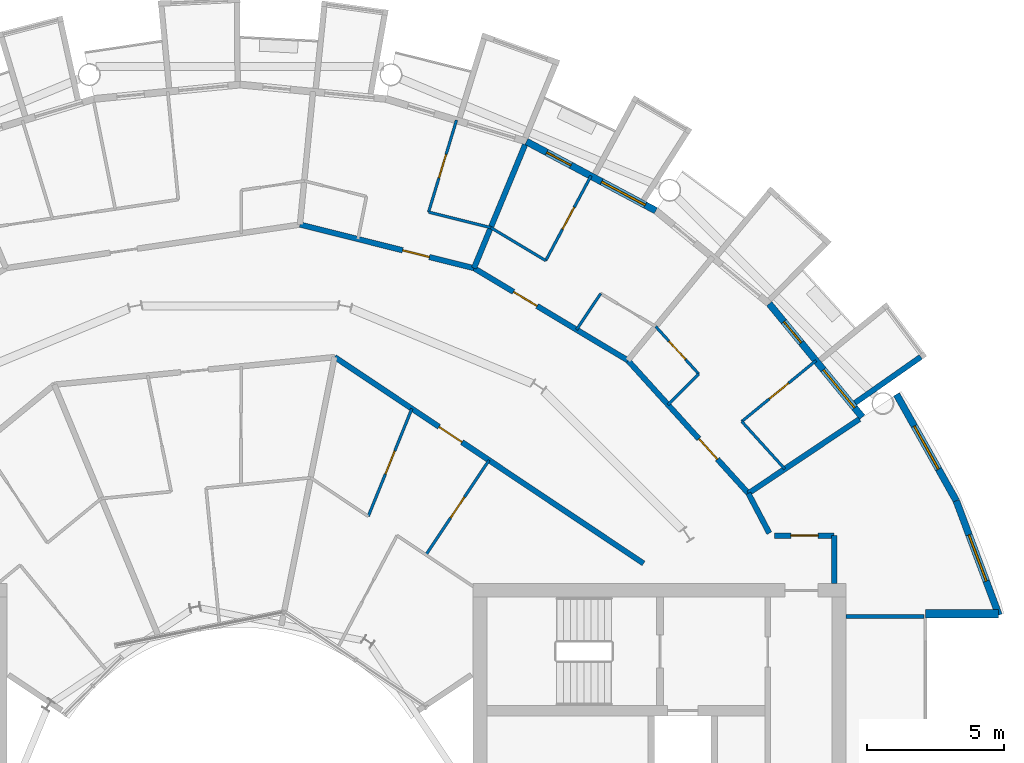
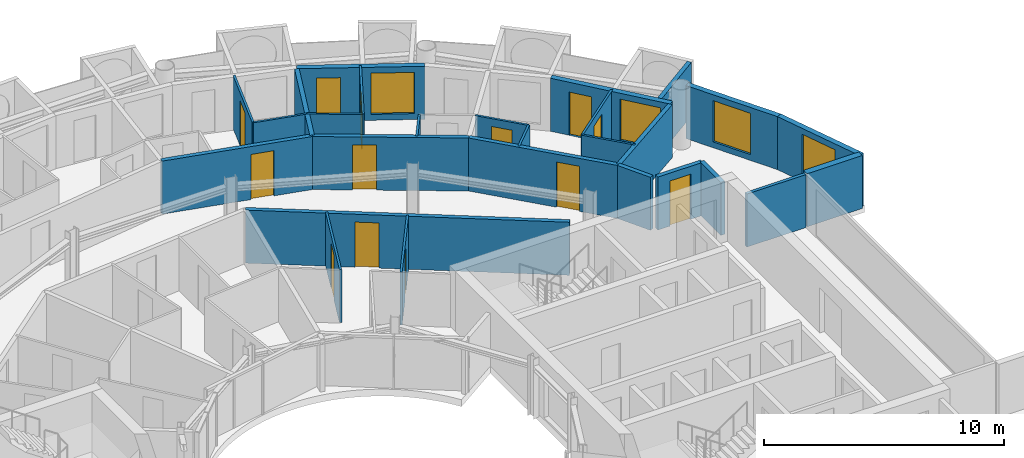
# One storey, part 22 of 27: 27 walls, 13 doors, 4 windows, 17 openings.
"""IFC4 building model written with IfcOpenShell, lengths in metres."""

from ifc_helpers import new_model, si_unit, direction, frame, frame_2d, origin, place, context, subcontext, project, spatial, rectangle, extrude, material, layer, layer_set, type_object, element, fill, save


model = new_model("IFC4")

# Units and contexts
model_context = context("Model", 3, precision=1e-05, world=origin(), true_north=direction((0.0, 1.0)))
body_context = subcontext(model_context, "Body", "Model", "MODEL_VIEW")
ifc_project = project(units=[si_unit("LENGTHUNIT", "METRE"), si_unit("AREAUNIT", "SQUARE_METRE"), si_unit("VOLUMEUNIT", "CUBIC_METRE"), si_unit("PLANEANGLEUNIT", "RADIAN"), si_unit("MASSUNIT", "GRAM", prefix="KILO")], contexts=[model_context])

# Site, building, storey
site_placement = place(None, origin())
site = spatial("IfcSite", under=ifc_project, at=site_placement, CompositionType="ELEMENT")
building_placement = place(site_placement, origin())
building = spatial("IfcBuilding", under=site, at=building_placement, Name="Maasbend Ring Residences", CompositionType="ELEMENT")
storey_placement = place(building_placement, frame((0.0, 0.0, 148.25)))
storey = spatial("IfcBuildingStorey", under=building, at=storey_placement, Name="L42", CompositionType="ELEMENT", Elevation=148.25)

# Wall
ifc_material_1 = material(Name="Concrete C30/37", Category="concrete")
ifc_layer_1 = layer(ifc_material_1, 0.199951171875)
ifc_layer_set_1 = layer_set([ifc_layer_1], Name="Concrete C30/37")
wall_type_1 = type_object("IfcWallType", Name="CORRIDOR WALL 200 CONCRETE", PredefinedType="PARTITIONING", material=ifc_layer_set_1)
wall_1_placement = place(storey_placement, frame((21.675048828125, 9.10009765625, 0.0), z_axis=(0.0, 0.0, 1.0), x_axis=(0.0, 1.0, 0.0)))
element("IfcWall", 1, at=wall_1_placement, inside=storey, type_object=wall_type_1, Name="U-L42-w013", PredefinedType="PARTITIONING", context=body_context, shape_type="SweptSolid", body=[
    extrude(rectangle(XDim=1.75, YDim=0.199951171875, at=frame_2d((0.875, 0.0))), origin(), (0.0, 0.0, 1.0), 2.699951171875),
])

# Wall, opening, door
wall_2_placement = place(storey_placement, frame((19.50390625, 10.85009765625, 0.0), z_axis=(0.0, 0.0, 1.0), x_axis=(1.0, 0.0, 0.0)))
wall_2 = element("IfcWall", 2, at=wall_2_placement, inside=storey, type_object=wall_type_1, Name="U-L42-w087", PredefinedType="PARTITIONING", context=body_context, shape_type="SweptSolid", body=[
    extrude(rectangle(XDim=2.171142578125, YDim=0.199951171875, at=frame_2d((1.08544921875, 0.0))), origin(), (0.0, 0.0, 1.0), 2.699951171875),
])
opening_1_placement = place(wall_2_placement, frame((0.5849609375, 0.0, 0.0)))
opening_1 = element("IfcOpeningElement", 3, at=opening_1_placement, cuts=wall_2, Name="Opening D-4262", PredefinedType="OPENING", context=body_context, shape_type="SweptSolid", body=[
    extrude(rectangle(XDim=1.0, YDim=2.300048828125, at=frame_2d((0.5, 1.14990234375))), frame((0.0, 0.10986328125, 0.0), z_axis=(0.0, -1.0, 0.0), x_axis=(1.0, 0.0, 0.0)), (0.0, 0.0, 1.0), 0.219970703125),
])
ifc_material_2 = material(Name="Timber, painted", Category="wood")
door_type_1 = type_object("IfcDoorType", Name="ROOM DOOR 1000 X 2300", OperationType="NOTDEFINED", PredefinedType="DOOR", material=ifc_material_2)
door_1_placement = place(opening_1_placement, origin())
door_1 = element("IfcDoor", 4, at=door_1_placement, inside=storey, type_object=door_type_1, Name="D-4262", OperationType="SINGLE_SWING_LEFT", OverallHeight=2.300048828125, OverallWidth=1.0, PredefinedType="DOOR", context=body_context, shape_type="SweptSolid", body=[
    extrude(rectangle(XDim=1.0, YDim=2.300048828125, at=frame_2d((0.5, 1.14990234375))), frame((0.0, 0.02490234375, 0.0), z_axis=(0.0, -1.0, 0.0), x_axis=(1.0, 0.0, 0.0)), (0.0, 0.0, 1.0), 0.050048828125),
])
fill(opening_1, door_1)

wall_3_placement = place(storey_placement, frame((3.452880859375, 17.360107421875, 0.0), z_axis=(0.0, 0.0, 1.0), x_axis=(0.831437137577, -0.555618831806, 0.0)))
wall_3 = element("IfcWall", 5, at=wall_3_placement, inside=storey, type_object=wall_type_1, Name="U-L42-w094", PredefinedType="PARTITIONING", context=body_context, shape_type="SweptSolid", body=[
    extrude(rectangle(XDim=13.549072265625, YDim=0.199951171875, at=frame_2d((6.7744140625, 0.0))), origin(), (0.0, 0.0, 1.0), 2.699951171875),
])
opening_2_placement = place(wall_3_placement, frame((4.5810546875, 0.0, 0.0)))
opening_2 = element("IfcOpeningElement", 6, at=opening_2_placement, cuts=wall_3, Name="Opening D-4221", PredefinedType="OPENING", context=body_context, shape_type="SweptSolid", body=[
    extrude(rectangle(XDim=1.0, YDim=2.300048828125, at=frame_2d((0.5, 1.14990234375))), frame((0.0, 0.10986328125, 0.0), z_axis=(0.0, -1.0, 0.0), x_axis=(1.0, 0.0, 0.0)), (0.0, 0.0, 1.0), 0.219970703125),
])
ifc_material_3 = material(Name="Timber, fire-rated, painted", Category="wood")
door_type_2 = type_object("IfcDoorType", Name="FLAT ENTRANCE DOOR 1000 X 2300 FIRE-RATED", OperationType="NOTDEFINED", PredefinedType="DOOR", material=ifc_material_3)
door_2_placement = place(opening_2_placement, origin())
door_2 = element("IfcDoor", 7, at=door_2_placement, inside=storey, type_object=door_type_2, Name="D-4221", OperationType="SINGLE_SWING_LEFT", OverallHeight=2.300048828125, OverallWidth=1.0, PredefinedType="DOOR", context=body_context, shape_type="SweptSolid", body=[
    extrude(rectangle(XDim=1.0, YDim=2.300048828125, at=frame_2d((0.5, 1.14990234375))), frame((0.0, 0.02490234375, 0.0), z_axis=(0.0, -1.0, 0.0), x_axis=(1.0, 0.0, 0.0)), (0.0, 0.0, 1.0), 0.050048828125),
])
fill(opening_2, door_2)

wall_4_placement = place(storey_placement, frame((2.18603515625, 22.193115234375, 0.0), z_axis=(0.0, 0.0, 1.0), x_axis=(0.97003047456, -0.242983288366, 0.0)))
wall_4 = element("IfcWall", 8, at=wall_4_placement, inside=storey, type_object=wall_type_1, Name="U-L42-w102", PredefinedType="PARTITIONING", context=body_context, shape_type="SweptSolid", body=[
    extrude(rectangle(XDim=6.5439453125, YDim=0.199951171875, at=frame_2d((3.27197265625, 0.0))), origin(), (0.0, 0.0, 1.0), 2.699951171875),
])
opening_3_placement = place(wall_4_placement, frame((3.863037109375, 0.0, 0.0)))
opening_3 = element("IfcOpeningElement", 9, at=opening_3_placement, cuts=wall_4, Name="Opening D-4207", PredefinedType="OPENING", context=body_context, shape_type="SweptSolid", body=[
    extrude(rectangle(XDim=1.0, YDim=2.300048828125, at=frame_2d((0.5, 1.14990234375))), frame((0.0, 0.10986328125, 0.0), z_axis=(0.0, -1.0, 0.0), x_axis=(1.0, 0.0, 0.0)), (0.0, 0.0, 1.0), 0.219970703125),
])
door_3_placement = place(opening_3_placement, origin())
door_3 = element("IfcDoor", 10, at=door_3_placement, inside=storey, type_object=door_type_2, Name="D-4207", OperationType="SINGLE_SWING_RIGHT", OverallHeight=2.300048828125, OverallWidth=1.0, PredefinedType="DOOR", context=body_context, shape_type="SweptSolid", body=[
    extrude(rectangle(XDim=1.0, YDim=2.300048828125, at=frame_2d((0.5, 1.14990234375))), frame((0.0, 0.02490234375, 0.0), z_axis=(0.0, -1.0, 0.0), x_axis=(1.0, 0.0, 0.0)), (0.0, 0.0, 1.0), 0.050048828125),
])
fill(opening_3, door_3)

wall_5_placement = place(storey_placement, frame((8.533935546875, 20.60302734375, 0.0), z_axis=(0.0, 0.0, 1.0), x_axis=(0.857683781508, -0.514177528621, 0.0)))
wall_5 = element("IfcWall", 11, at=wall_5_placement, inside=storey, type_object=wall_type_1, Name="U-L42-w103", PredefinedType="PARTITIONING", context=body_context, shape_type="SweptSolid", body=[
    extrude(rectangle(XDim=6.54443359375, YDim=0.199951171875, at=frame_2d((3.272216796875, 0.0))), origin(), (0.0, 0.0, 1.0), 2.699951171875),
])
opening_4_placement = place(wall_5_placement, frame((1.681884765625, 0.0, 0.0)))
opening_4 = element("IfcOpeningElement", 12, at=opening_4_placement, cuts=wall_5, Name="Opening D-4204", PredefinedType="OPENING", context=body_context, shape_type="SweptSolid", body=[
    extrude(rectangle(XDim=1.0, YDim=2.300048828125, at=frame_2d((0.5, 1.14990234375))), frame((0.0, 0.10986328125, 0.0), z_axis=(0.0, -1.0, 0.0), x_axis=(1.0, 0.0, 0.0)), (0.0, 0.0, 1.0), 0.219970703125),
])
door_4_placement = place(opening_4_placement, origin())
door_4 = element("IfcDoor", 13, at=door_4_placement, inside=storey, type_object=door_type_2, Name="D-4204", OperationType="SINGLE_SWING_LEFT", OverallHeight=2.300048828125, OverallWidth=1.0, PredefinedType="DOOR", context=body_context, shape_type="SweptSolid", body=[
    extrude(rectangle(XDim=1.0, YDim=2.300048828125, at=frame_2d((0.5, 1.14990234375))), frame((0.0, 0.02490234375, 0.0), z_axis=(0.0, -1.0, 0.0), x_axis=(1.0, 0.0, 0.0)), (0.0, 0.0, 1.0), 0.050048828125),
])
fill(opening_4, door_4)

wall_6_placement = place(storey_placement, frame((14.14697265625, 17.238037109375, 0.0), z_axis=(0.0, 0.0, 1.0), x_axis=(0.671561669125, -0.740948665268, 0.0)))
wall_6 = element("IfcWall", 14, at=wall_6_placement, inside=storey, type_object=wall_type_1, Name="U-L42-w104", PredefinedType="PARTITIONING", context=body_context, shape_type="SweptSolid", body=[
    extrude(rectangle(XDim=6.54443359375, YDim=0.199951171875, at=frame_2d((3.272216796875, 0.0))), origin(), (0.0, 0.0, 1.0), 2.699951171875),
])
opening_5_placement = place(wall_6_placement, frame((3.862060546875, 0.0, 0.0)))
opening_5 = element("IfcOpeningElement", 15, at=opening_5_placement, cuts=wall_6, Name="Opening D-4201", PredefinedType="OPENING", context=body_context, shape_type="SweptSolid", body=[
    extrude(rectangle(XDim=1.0, YDim=2.300048828125, at=frame_2d((0.5, 1.14990234375))), frame((0.0, 0.10986328125, 0.0), z_axis=(0.0, -1.0, 0.0), x_axis=(1.0, 0.0, 0.0)), (0.0, 0.0, 1.0), 0.219970703125),
])
door_5_placement = place(opening_5_placement, origin())
door_5 = element("IfcDoor", 16, at=door_5_placement, inside=storey, type_object=door_type_2, Name="D-4201", OperationType="SINGLE_SWING_RIGHT", OverallHeight=2.300048828125, OverallWidth=1.0, PredefinedType="DOOR", context=body_context, shape_type="SweptSolid", body=[
    extrude(rectangle(XDim=1.0, YDim=2.300048828125, at=frame_2d((0.5, 1.14990234375))), frame((0.0, 0.02490234375, 0.0), z_axis=(0.0, -1.0, 0.0), x_axis=(1.0, 0.0, 0.0)), (0.0, 0.0, 1.0), 0.050048828125),
])
fill(opening_5, door_5)

# Walls
wall_7_placement = place(storey_placement, frame((18.5419921875, 12.388916015625, 0.0), z_axis=(0.0, 0.0, 1.0), x_axis=(0.465605550524, -0.884992356646, 0.0)))
element("IfcWall", 17, at=wall_7_placement, inside=storey, type_object=wall_type_1, Name="U-L42-w106", PredefinedType="PARTITIONING", context=body_context, shape_type="SweptSolid", body=[
    extrude(rectangle(XDim=1.642822265625, YDim=0.199951171875, at=frame_2d((0.8212890625, 0.0))), origin(), (0.0, 0.0, 1.0), 2.699951171875),
])
ifc_material_4 = material(Name="Pale anodised aluminium panel", Category="aluminium")
ifc_layer_2 = layer(ifc_material_4, 0.199951171875)
ifc_layer_set_2 = layer_set([ifc_layer_2], Name="EW-BOX")
wall_type_2 = type_object("IfcWallType", Name="EW-BOX", PredefinedType="SOLIDWALL", material=ifc_layer_set_2)
wall_8_placement = place(storey_placement, frame((22.43310546875, 15.68798828125, -0.030029296875), z_axis=(0.0, 0.0, 1.0), x_axis=(0.819373043115, 0.573260687834, 0.0)))
element("IfcWall", 18, at=wall_8_placement, inside=storey, type_object=wall_type_2, Name="Box side wall N01 left", PredefinedType="SOLIDWALL", context=body_context, shape_type="SweptSolid", body=[
    extrude(rectangle(XDim=2.92529296875, YDim=0.199951171875, at=frame_2d((1.462646484375, 0.0))), origin(), (0.0, 0.0, 1.0), 2.72998046875),
])

# Wall, openings, door, window
ifc_material_5 = material(Name="Aluminium clad insulated panel", Category="aluminium")
ifc_layer_3 = layer(ifc_material_5, 0.25)
ifc_layer_set_3 = layer_set([ifc_layer_3], Name="EW-GL")
wall_type_3 = type_object("IfcWallType", Name="EW-GL", PredefinedType="SOLIDWALL", material=ifc_layer_set_3)
wall_9_placement = place(storey_placement, frame((22.698974609375, 15.1669921875, 0.0), z_axis=(0.0, 0.0, 1.0), x_axis=(-0.634382322723, 0.773019449054, 0.0)))
wall_9 = element("IfcWall", 19, at=wall_9_placement, inside=storey, type_object=wall_type_3, Name="External wall N01", PredefinedType="SOLIDWALL", context=body_context, shape_type="SweptSolid", body=[
    extrude(rectangle(XDim=5.351806640625, YDim=0.25, at=frame_2d((2.67578125, 0.0))), origin(), (0.0, 0.0, 1.0), 2.699951171875),
])
opening_6_placement = place(wall_9_placement, frame((0.441162109375, 0.0, 0.300048828125)))
opening_6 = element("IfcOpeningElement", 20, at=opening_6_placement, cuts=wall_9, Name="Opening W-BX", PredefinedType="OPENING", context=body_context, shape_type="SweptSolid", body=[
    extrude(rectangle(XDim=1.800048828125, YDim=2.10009765625, at=frame_2d((0.89990234375, 1.050048828125))), frame((0.0, 0.135009765625, 0.0), z_axis=(0.0, -1.0, 0.0), x_axis=(1.0, 0.0, 0.0)), (0.0, 0.0, 1.0), 0.27001953125),
])
opening_7_placement = place(wall_9_placement, frame((3.510498046875, 0.0, 0.0)))
opening_7 = element("IfcOpeningElement", 21, at=opening_7_placement, cuts=wall_9, Name="Opening D-LG", PredefinedType="OPENING", context=body_context, shape_type="SweptSolid", body=[
    extrude(rectangle(XDim=1.0, YDim=2.199951171875, at=frame_2d((0.5, 1.10009765625))), frame((0.0, 0.135009765625, 0.0), z_axis=(0.0, -1.0, 0.0), x_axis=(1.0, 0.0, 0.0)), (0.0, 0.0, 1.0), 0.27001953125),
])
ifc_material_6 = material(Name="Aluminium and clear glass", Category="aluminium")
door_type_3 = type_object("IfcDoorType", Name="D-LG", OperationType="SINGLE_SWING_LEFT", PredefinedType="DOOR", material=ifc_material_6)
door_6_placement = place(opening_7_placement, origin())
door_6 = element("IfcDoor", 22, at=door_6_placement, inside=storey, type_object=door_type_3, Name="Loggia door N02", OperationType="SINGLE_SWING_LEFT", OverallHeight=2.199951171875, OverallWidth=1.0, PredefinedType="DOOR", context=body_context, shape_type="SweptSolid", body=[
    extrude(rectangle(XDim=1.0, YDim=2.199951171875, at=frame_2d((0.5, 1.10009765625))), frame((0.0, 0.02490234375, 0.0), z_axis=(0.0, -1.0, 0.0), x_axis=(1.0, 0.0, 0.0)), (0.0, 0.0, 1.0), 0.050048828125),
])
fill(opening_7, door_6)
ifc_material_7 = material(Name="Aluminium and clear glass", Category="aluminium")
window_type = type_object("IfcWindowType", Name="W-BX", PartitioningType="DOUBLE_PANEL_VERTICAL", PredefinedType="WINDOW", material=ifc_material_7)
window_1_placement = place(opening_6_placement, origin())
window_1 = element("IfcWindow", 23, at=window_1_placement, inside=storey, type_object=window_type, Name="Window N01 room to box", OverallHeight=2.10009765625, OverallWidth=1.800048828125, PartitioningType="SINGLE_PANEL", PredefinedType="WINDOW", context=body_context, shape_type="SweptSolid", body=[
    extrude(rectangle(XDim=1.800048828125, YDim=2.10009765625, at=frame_2d((0.89990234375, 1.050048828125))), frame((0.0, 0.030029296875, 0.0), z_axis=(0.0, -1.0, 0.0), x_axis=(1.0, 0.0, 0.0)), (0.0, 0.0, 1.0), 0.06005859375),
])
fill(opening_6, window_1)

wall_10_placement = place(storey_placement, frame((15.1669921875, 22.698974609375, 0.0), z_axis=(0.0, 0.0, 1.0), x_axis=(-0.881915646801, 0.471407246368, 0.0)))
wall_10 = element("IfcWall", 24, at=wall_10_placement, inside=storey, type_object=wall_type_3, Name="External wall N03", PredefinedType="SOLIDWALL", context=body_context, shape_type="SweptSolid", body=[
    extrude(rectangle(XDim=5.35205078125, YDim=0.25, at=frame_2d((2.676025390625, 0.0))), origin(), (0.0, 0.0, 1.0), 2.699951171875),
])
opening_8_placement = place(wall_10_placement, frame((0.441162109375, 0.0, 0.300048828125)))
opening_8 = element("IfcOpeningElement", 25, at=opening_8_placement, cuts=wall_10, Name="Opening W-BX", PredefinedType="OPENING", context=body_context, shape_type="SweptSolid", body=[
    extrude(rectangle(XDim=1.800048828125, YDim=2.10009765625, at=frame_2d((0.89990234375, 1.050048828125))), frame((0.0, 0.135009765625, 0.0), z_axis=(0.0, -1.0, 0.0), x_axis=(1.0, 0.0, 0.0)), (0.0, 0.0, 1.0), 0.27001953125),
])
opening_9_placement = place(wall_10_placement, frame((3.510498046875, 0.0, 0.0)))
opening_9 = element("IfcOpeningElement", 26, at=opening_9_placement, cuts=wall_10, Name="Opening D-LG", PredefinedType="OPENING", context=body_context, shape_type="SweptSolid", body=[
    extrude(rectangle(XDim=1.0, YDim=2.199951171875, at=frame_2d((0.5, 1.10009765625))), frame((0.0, 0.135009765625, 0.0), z_axis=(0.0, -1.0, 0.0), x_axis=(1.0, 0.0, 0.0)), (0.0, 0.0, 1.0), 0.27001953125),
])
door_7_placement = place(opening_9_placement, origin())
door_7 = element("IfcDoor", 27, at=door_7_placement, inside=storey, type_object=door_type_3, Name="Loggia door N06", OperationType="SINGLE_SWING_LEFT", OverallHeight=2.199951171875, OverallWidth=1.0, PredefinedType="DOOR", context=body_context, shape_type="SweptSolid", body=[
    extrude(rectangle(XDim=1.0, YDim=2.199951171875, at=frame_2d((0.5, 1.10009765625))), frame((0.0, 0.02490234375, 0.0), z_axis=(0.0, -1.0, 0.0), x_axis=(1.0, 0.0, 0.0)), (0.0, 0.0, 1.0), 0.050048828125),
])
fill(opening_9, door_7)
window_2_placement = place(opening_8_placement, origin())
window_2 = element("IfcWindow", 28, at=window_2_placement, inside=storey, type_object=window_type, Name="Window N05 room to box", OverallHeight=2.10009765625, OverallWidth=1.800048828125, PartitioningType="SINGLE_PANEL", PredefinedType="WINDOW", context=body_context, shape_type="SweptSolid", body=[
    extrude(rectangle(XDim=1.800048828125, YDim=2.10009765625, at=frame_2d((0.89990234375, 1.050048828125))), frame((0.0, 0.030029296875, 0.0), z_axis=(0.0, -1.0, 0.0), x_axis=(1.0, 0.0, 0.0)), (0.0, 0.0, 1.0), 0.06005859375),
])
fill(opening_8, window_2)

# Wall, opening, window
ifc_material_8 = material(Name="Aluminium clad insulated panel", Category="aluminium")
ifc_layer_4 = layer(ifc_material_8, 0.25)
ifc_layer_set_4 = layer_set([ifc_layer_4], Name="EW-HORN")
wall_type_4 = type_object("IfcWallType", Name="EW-HORN", PredefinedType="SOLIDWALL", material=ifc_layer_set_4)
wall_11_placement = place(storey_placement, frame((27.681884765625, 7.945068359375, 0.0), z_axis=(0.0, 0.0, 1.0), x_axis=(-0.349247811493, 0.937030397675, 0.0)))
wall_11 = element("IfcWall", 29, at=wall_11_placement, inside=storey, type_object=wall_type_4, Name="Horn wall 1.1", PredefinedType="SOLIDWALL", context=body_context, shape_type="SweptSolid", body=[
    extrude(rectangle(XDim=4.4521484375, YDim=0.25, at=frame_2d((2.22607421875, 0.0))), origin(), (0.0, 0.0, 1.0), 2.699951171875),
])
opening_10_placement = place(wall_11_placement, frame((1.32666015625, 0.0, 0.300048828125)))
opening_10 = element("IfcOpeningElement", 30, at=opening_10_placement, cuts=wall_11, Name="Opening W-BX", PredefinedType="OPENING", context=body_context, shape_type="SweptSolid", body=[
    extrude(rectangle(XDim=1.800048828125, YDim=2.10009765625, at=frame_2d((0.89990234375, 1.050048828125))), frame((0.0, 0.135009765625, 0.0), z_axis=(0.0, -1.0, 0.0), x_axis=(1.0, 0.0, 0.0)), (0.0, 0.0, 1.0), 0.27001953125),
])
window_3_placement = place(opening_10_placement, origin())
window_3 = element("IfcWindow", 31, at=window_3_placement, inside=storey, type_object=window_type, Name="Horn window 1.1", OverallHeight=2.10009765625, OverallWidth=1.800048828125, PartitioningType="SINGLE_PANEL", PredefinedType="WINDOW", context=body_context, shape_type="SweptSolid", body=[
    extrude(rectangle(XDim=1.800048828125, YDim=2.10009765625, at=frame_2d((0.89990234375, 1.050048828125))), frame((0.0, 0.030029296875, 0.0), z_axis=(0.0, -1.0, 0.0), x_axis=(1.0, 0.0, 0.0)), (0.0, 0.0, 1.0), 0.06005859375),
])
fill(opening_10, window_3)

wall_12_placement = place(storey_placement, frame((26.126953125, 12.116943359375, 0.0), z_axis=(0.0, 0.0, 1.0), x_axis=(-0.489696356642, 0.871893042919, 0.0)))
wall_12 = element("IfcWall", 32, at=wall_12_placement, inside=storey, type_object=wall_type_4, Name="Horn wall 1.2", PredefinedType="SOLIDWALL", context=body_context, shape_type="SweptSolid", body=[
    extrude(rectangle(XDim=4.45361328125, YDim=0.25, at=frame_2d((2.226806640625, 0.0))), origin(), (0.0, 0.0, 1.0), 2.699951171875),
])
opening_11_placement = place(wall_12_placement, frame((1.32666015625, 0.0, 0.300048828125)))
opening_11 = element("IfcOpeningElement", 33, at=opening_11_placement, cuts=wall_12, Name="Opening W-BX", PredefinedType="OPENING", context=body_context, shape_type="SweptSolid", body=[
    extrude(rectangle(XDim=1.800048828125, YDim=2.10009765625, at=frame_2d((0.89990234375, 1.050048828125))), frame((0.0, 0.135009765625, 0.0), z_axis=(0.0, -1.0, 0.0), x_axis=(1.0, 0.0, 0.0)), (0.0, 0.0, 1.0), 0.27001953125),
])
window_4_placement = place(opening_11_placement, origin())
window_4 = element("IfcWindow", 34, at=window_4_placement, inside=storey, type_object=window_type, Name="Horn window 1.2", OverallHeight=2.10009765625, OverallWidth=1.800048828125, PartitioningType="SINGLE_PANEL", PredefinedType="WINDOW", context=body_context, shape_type="SweptSolid", body=[
    extrude(rectangle(XDim=1.800048828125, YDim=2.10009765625, at=frame_2d((0.89990234375, 1.050048828125))), frame((0.0, 0.030029296875, 0.0), z_axis=(0.0, -1.0, 0.0), x_axis=(1.0, 0.0, 0.0)), (0.0, 0.0, 1.0), 0.06005859375),
])
fill(opening_11, window_4)

# Wall
ifc_material_9 = material(Name="Aluminium clad insulated panel", Category="aluminium")
ifc_layer_5 = layer(ifc_material_9, 0.300048828125)
ifc_layer_set_5 = layer_set([ifc_layer_5], Name="EW-RET")
wall_type_5 = type_object("IfcWallType", Name="EW-RET", PredefinedType="SOLIDWALL", material=ifc_layer_set_5)
wall_13_placement = place(storey_placement, frame((25.0, 8.0, 0.0), z_axis=(0.0, 0.0, 1.0), x_axis=(1.0, 0.0, 0.0)))
element("IfcWall", 35, at=wall_13_placement, inside=storey, type_object=wall_type_5, Name="Notch return wall east north", PredefinedType="SOLIDWALL", context=body_context, shape_type="SweptSolid", body=[
    extrude(rectangle(XDim=2.6669921875, YDim=0.300048828125, at=frame_2d((1.33349609375, 0.0))), origin(), (0.0, 0.0, 1.0), 2.699951171875),
])

# Wall, opening, door
ifc_material_10 = material(Name="Gypsum board on steel studs", Category="steel")
ifc_layer_6 = layer(ifc_material_10, 0.10009765625)
ifc_layer_set_6 = layer_set([ifc_layer_6], Name="PARTITION 100 GYPSUM")
wall_type_6 = type_object("IfcWallType", Name="PARTITION 100 GYPSUM", PredefinedType="PARTITIONING", material=ifc_layer_set_6)
wall_14_placement = place(storey_placement, frame((4.677978515625, 11.551025390625, 0.0), z_axis=(0.0, 0.0, 1.0), x_axis=(0.375509828455, 0.926818411952, 0.0)))
wall_14 = element("IfcWall", 36, at=wall_14_placement, inside=storey, type_object=wall_type_6, Name="U-L42-w064", PredefinedType="PARTITIONING", context=body_context, shape_type="SweptSolid", body=[
    extrude(rectangle(XDim=4.237060546875, YDim=0.10009765625, at=frame_2d((2.11865234375, 0.0))), origin(), (0.0, 0.0, 1.0), 2.699951171875),
])
opening_12_placement = place(wall_14_placement, frame((1.6689453125, 0.0, 0.0)))
opening_12 = element("IfcOpeningElement", 37, at=opening_12_placement, cuts=wall_14, Name="Opening D-4222", PredefinedType="OPENING", context=body_context, shape_type="SweptSolid", body=[
    extrude(rectangle(XDim=0.89990234375, YDim=2.300048828125, at=frame_2d((0.449951171875, 1.14990234375))), frame((0.0, 0.06005859375, 0.0), z_axis=(0.0, -1.0, 0.0), x_axis=(1.0, 0.0, 0.0)), (0.0, 0.0, 1.0), 0.1201171875),
])
ifc_material_11 = material(Name="Timber, painted", Category="wood")
door_type_4 = type_object("IfcDoorType", Name="INTERNAL DOOR 900 X 2300", OperationType="NOTDEFINED", PredefinedType="DOOR", material=ifc_material_11)
door_8_placement = place(opening_12_placement, origin())
door_8 = element("IfcDoor", 38, at=door_8_placement, inside=storey, type_object=door_type_4, Name="D-4222", OperationType="SINGLE_SWING_RIGHT", OverallHeight=2.300048828125, OverallWidth=0.89990234375, PredefinedType="DOOR", context=body_context, shape_type="SweptSolid", body=[
    extrude(rectangle(XDim=0.89990234375, YDim=2.300048828125, at=frame_2d((0.449951171875, 1.14990234375))), frame((0.0, 0.02490234375, 0.0), z_axis=(0.0, -1.0, 0.0), x_axis=(1.0, 0.0, 0.0)), (0.0, 0.0, 1.0), 0.050048828125),
])
fill(opening_12, door_8)

wall_15_placement = place(storey_placement, frame((6.780029296875, 10.14697265625, 0.0), z_axis=(0.0, 0.0, 1.0), x_axis=(0.555528237031, 0.831497671591, 0.0)))
wall_15 = element("IfcWall", 39, at=wall_15_placement, inside=storey, type_object=wall_type_6, Name="U-L42-w067", PredefinedType="PARTITIONING", context=body_context, shape_type="SweptSolid", body=[
    extrude(rectangle(XDim=4.149169921875, YDim=0.10009765625, at=frame_2d((2.07470703125, 0.0))), origin(), (0.0, 0.0, 1.0), 2.699951171875),
])
opening_13_placement = place(wall_15_placement, frame((1.625, 0.0, 0.0)))
opening_13 = element("IfcOpeningElement", 40, at=opening_13_placement, cuts=wall_15, Name="Opening D-4223", PredefinedType="OPENING", context=body_context, shape_type="SweptSolid", body=[
    extrude(rectangle(XDim=0.89990234375, YDim=2.300048828125, at=frame_2d((0.449951171875, 1.14990234375))), frame((0.0, 0.06005859375, 0.0), z_axis=(0.0, -1.0, 0.0), x_axis=(1.0, 0.0, 0.0)), (0.0, 0.0, 1.0), 0.1201171875),
])
door_9_placement = place(opening_13_placement, origin())
door_9 = element("IfcDoor", 41, at=door_9_placement, inside=storey, type_object=door_type_4, Name="D-4223", OperationType="SINGLE_SWING_RIGHT", OverallHeight=2.300048828125, OverallWidth=0.89990234375, PredefinedType="DOOR", context=body_context, shape_type="SweptSolid", body=[
    extrude(rectangle(XDim=0.89990234375, YDim=2.300048828125, at=frame_2d((0.449951171875, 1.14990234375))), frame((0.0, 0.02490234375, 0.0), z_axis=(0.0, -1.0, 0.0), x_axis=(1.0, 0.0, 0.0)), (0.0, 0.0, 1.0), 0.050048828125),
])
fill(opening_13, door_9)

wall_16_placement = place(storey_placement, frame((6.8779296875, 22.64892578125, 0.0), z_axis=(0.0, 0.0, 1.0), x_axis=(0.290784578865, 0.956788549625, 0.0)))
wall_16 = element("IfcWall", 42, at=wall_16_placement, inside=storey, type_object=wall_type_6, Name="U-L42-w068", PredefinedType="PARTITIONING", context=body_context, shape_type="SweptSolid", body=[
    extrude(rectangle(XDim=3.50439453125, YDim=0.10009765625, at=frame_2d((1.752197265625, 0.0))), origin(), (0.0, 0.0, 1.0), 2.699951171875),
])
opening_14_placement = place(wall_16_placement, frame((1.302001953125, 0.0, 0.0)))
opening_14 = element("IfcOpeningElement", 43, at=opening_14_placement, cuts=wall_16, Name="Opening D-4209", PredefinedType="OPENING", context=body_context, shape_type="SweptSolid", body=[
    extrude(rectangle(XDim=0.89990234375, YDim=2.300048828125, at=frame_2d((0.449951171875, 1.14990234375))), frame((0.0, 0.06005859375, 0.0), z_axis=(0.0, -1.0, 0.0), x_axis=(1.0, 0.0, 0.0)), (0.0, 0.0, 1.0), 0.1201171875),
])
door_10_placement = place(opening_14_placement, origin())
door_10 = element("IfcDoor", 44, at=door_10_placement, inside=storey, type_object=door_type_4, Name="D-4209", OperationType="SINGLE_SWING_LEFT", OverallHeight=2.300048828125, OverallWidth=0.89990234375, PredefinedType="DOOR", context=body_context, shape_type="SweptSolid", body=[
    extrude(rectangle(XDim=0.89990234375, YDim=2.300048828125, at=frame_2d((0.449951171875, 1.14990234375))), frame((0.0, 0.02490234375, 0.0), z_axis=(0.0, -1.0, 0.0), x_axis=(1.0, 0.0, 0.0)), (0.0, 0.0, 1.0), 0.050048828125),
])
fill(opening_14, door_10)

# Walls
for number, where, z_axis, x_axis, name in (
    (45, (12.27587890625, 18.360107421875, 0.0), (0.0, 0.0, 1.0), (0.556086174374, 0.831124639672, 0.0), "U-L42-w074"),
    (46, (15.612060546875, 15.6220703125, 0.0), (0.0, 0.0, 1.0), (0.70679853939, 0.707414888673, 0.0), "U-L42-w078"),
):
    element("IfcWall", number, at=place(storey_placement, frame(where, z_axis=z_axis, x_axis=x_axis)), inside=storey, type_object=wall_type_6, Name=name, PredefinedType="PARTITIONING", context=body_context, shape_type="SweptSolid", body=[
        extrude(rectangle(XDim=1.58447265625, YDim=0.10009765625, at=frame_2d((0.792236328125, 0.0))), origin(), (0.0, 0.0, 1.0), 2.699951171875),
    ])

# Wall, opening, door
wall_17_placement = place(storey_placement, frame((18.302001953125, 15.010009765625, 0.0), z_axis=(0.0, 0.0, 1.0), x_axis=(0.773165322764, 0.634204528267, 0.0)))
wall_17 = element("IfcWall", 47, at=wall_17_placement, inside=storey, type_object=wall_type_6, Name="U-L42-w080", PredefinedType="PARTITIONING", context=body_context, shape_type="SweptSolid", body=[
    extrude(rectangle(XDim=3.505126953125, YDim=0.10009765625, at=frame_2d((1.75244140625, 0.0))), origin(), (0.0, 0.0, 1.0), 2.699951171875),
])
opening_15_placement = place(wall_17_placement, frame((1.302978515625, 0.0, 0.0)))
opening_15 = element("IfcOpeningElement", 48, at=opening_15_placement, cuts=wall_17, Name="Opening D-4203", PredefinedType="OPENING", context=body_context, shape_type="SweptSolid", body=[
    extrude(rectangle(XDim=0.89990234375, YDim=2.300048828125, at=frame_2d((0.449951171875, 1.14990234375))), frame((0.0, 0.06005859375, 0.0), z_axis=(0.0, -1.0, 0.0), x_axis=(1.0, 0.0, 0.0)), (0.0, 0.0, 1.0), 0.1201171875),
])
door_11_placement = place(opening_15_placement, origin())
door_11 = element("IfcDoor", 49, at=door_11_placement, inside=storey, type_object=door_type_4, Name="D-4203", OperationType="SINGLE_SWING_RIGHT", OverallHeight=2.300048828125, OverallWidth=0.89990234375, PredefinedType="DOOR", context=body_context, shape_type="SweptSolid", body=[
    extrude(rectangle(XDim=0.89990234375, YDim=2.300048828125, at=frame_2d((0.449951171875, 1.14990234375))), frame((0.0, 0.02490234375, 0.0), z_axis=(0.0, -1.0, 0.0), x_axis=(1.0, 0.0, 0.0)), (0.0, 0.0, 1.0), 0.050048828125),
])
fill(opening_15, door_11)

wall_18_placement = place(storey_placement, frame((11.15087890625, 20.87890625, 0.0), z_axis=(0.0, 0.0, 1.0), x_axis=(0.471372600501, 0.881934165058, 0.0)))
wall_18 = element("IfcWall", 50, at=wall_18_placement, inside=storey, type_object=wall_type_6, Name="U-L42-w083", PredefinedType="PARTITIONING", context=body_context, shape_type="SweptSolid", body=[
    extrude(rectangle(XDim=3.5048828125, YDim=0.10009765625, at=frame_2d((1.75244140625, 0.0))), origin(), (0.0, 0.0, 1.0), 2.699951171875),
])
opening_16_placement = place(wall_18_placement, frame((1.302001953125, 0.0, 0.0)))
opening_16 = element("IfcOpeningElement", 51, at=opening_16_placement, cuts=wall_18, Name="Opening D-4206", PredefinedType="OPENING", context=body_context, shape_type="SweptSolid", body=[
    extrude(rectangle(XDim=0.89990234375, YDim=2.300048828125, at=frame_2d((0.449951171875, 1.14990234375))), frame((0.0, 0.06005859375, 0.0), z_axis=(0.0, -1.0, 0.0), x_axis=(1.0, 0.0, 0.0)), (0.0, 0.0, 1.0), 0.1201171875),
])
door_12_placement = place(opening_16_placement, origin())
door_12 = element("IfcDoor", 52, at=door_12_placement, inside=storey, type_object=door_type_4, Name="D-4206", OperationType="SINGLE_SWING_LEFT", OverallHeight=2.300048828125, OverallWidth=0.89990234375, PredefinedType="DOOR", context=body_context, shape_type="SweptSolid", body=[
    extrude(rectangle(XDim=0.89990234375, YDim=2.300048828125, at=frame_2d((0.449951171875, 1.14990234375))), frame((0.0, 0.02490234375, 0.0), z_axis=(0.0, -1.0, 0.0), x_axis=(1.0, 0.0, 0.0)), (0.0, 0.0, 1.0), 0.050048828125),
])
fill(opening_16, door_12)

# Walls
wall_19_placement = place(storey_placement, frame((6.8798828125, 22.64794921875, 0.0), z_axis=(0.0, 0.0, 1.0), x_axis=(0.9700564467, -0.242879579658, 0.0)))
element("IfcWall", 53, at=wall_19_placement, inside=storey, type_object=wall_type_6, Name="U-L42-w114", PredefinedType="PARTITIONING", context=body_context, shape_type="SweptSolid", body=[
    extrude(rectangle(XDim=2.338134765625, YDim=0.10009765625, at=frame_2d((1.1689453125, 0.0))), origin(), (0.0, 0.0, 1.0), 2.699951171875),
])
wall_20_placement = place(storey_placement, frame((9.14599609375, 22.0810546875, 0.0), z_axis=(0.0, 0.0, 1.0), x_axis=(0.857640331606, -0.514249999127, 0.0)))
element("IfcWall", 54, at=wall_20_placement, inside=storey, type_object=wall_type_6, Name="U-L42-w115", PredefinedType="PARTITIONING", context=body_context, shape_type="SweptSolid", body=[
    extrude(rectangle(XDim=2.337646484375, YDim=0.10009765625, at=frame_2d((1.1689453125, 0.0))), origin(), (0.0, 0.0, 1.0), 2.699951171875),
])

# Wall, opening, door
wall_21_placement = place(storey_placement, frame((15.162109375, 18.47509765625, 0.0), z_axis=(0.0, 0.0, 1.0), x_axis=(0.671528384412, -0.740978831634, 0.0)))
wall_21 = element("IfcWall", 55, at=wall_21_placement, inside=storey, type_object=wall_type_6, Name="U-L42-w117", PredefinedType="PARTITIONING", context=body_context, shape_type="SweptSolid", body=[
    extrude(rectangle(XDim=2.337646484375, YDim=0.10009765625, at=frame_2d((1.1689453125, 0.0))), origin(), (0.0, 0.0, 1.0), 2.699951171875),
])
opening_17_placement = place(wall_21_placement, frame((0.718994140625, 0.0, 0.0)))
opening_17 = element("IfcOpeningElement", 56, at=opening_17_placement, cuts=wall_21, Name="Opening D-4202", PredefinedType="OPENING", context=body_context, shape_type="SweptSolid", body=[
    extrude(rectangle(XDim=0.89990234375, YDim=2.300048828125, at=frame_2d((0.449951171875, 1.14990234375))), frame((0.0, 0.06005859375, 0.0), z_axis=(0.0, -1.0, 0.0), x_axis=(1.0, 0.0, 0.0)), (0.0, 0.0, 1.0), 0.1201171875),
])
door_13_placement = place(opening_17_placement, origin())
door_13 = element("IfcDoor", 57, at=door_13_placement, inside=storey, type_object=door_type_4, Name="D-4202", OperationType="SINGLE_SWING_LEFT", OverallHeight=2.300048828125, OverallWidth=0.89990234375, PredefinedType="DOOR", context=body_context, shape_type="SweptSolid", body=[
    extrude(rectangle(XDim=0.89990234375, YDim=2.300048828125, at=frame_2d((0.449951171875, 1.14990234375))), frame((0.0, 0.02490234375, 0.0), z_axis=(0.0, -1.0, 0.0), x_axis=(1.0, 0.0, 0.0)), (0.0, 0.0, 1.0), 0.050048828125),
])
fill(opening_17, door_13)

# Walls
wall_22_placement = place(storey_placement, frame((18.302001953125, 15.010009765625, 0.0), z_axis=(0.0, 0.0, 1.0), x_axis=(0.671637685376, -0.740879760544, 0.0)))
element("IfcWall", 58, at=wall_22_placement, inside=storey, type_object=wall_type_6, Name="U-L42-w118", PredefinedType="PARTITIONING", context=body_context, shape_type="SweptSolid", body=[
    extrude(rectangle(XDim=2.337646484375, YDim=0.10009765625, at=frame_2d((1.1689453125, 0.0))), origin(), (0.0, 0.0, 1.0), 2.699951171875),
])
ifc_material_12 = material(Name="Gypsum board on steel studs", Category="steel")
ifc_layer_7 = layer(ifc_material_12, 0.14990234375)
ifc_layer_set_7 = layer_set([ifc_layer_7], Name="PARTITION 150 EI 60")
wall_type_7 = type_object("IfcWallType", Name="PARTITION 150 EI 60", PredefinedType="PARTITIONING", material=ifc_layer_set_7)
wall_23_placement = place(storey_placement, frame((22.10009765625, 7.89990234375, 0.0), z_axis=(0.0, 0.0, 1.0), x_axis=(1.0, 0.0, 0.0)))
element("IfcWall", 59, at=wall_23_placement, inside=storey, type_object=wall_type_7, Name="L42 core E wall CITN", PredefinedType="PARTITIONING", context=body_context, shape_type="SweptSolid", body=[
    extrude(rectangle(XDim=2.83984375, YDim=0.14990234375, at=frame_2d((1.419921875, 0.0))), origin(), (0.0, 0.0, 1.0), 2.699951171875),
])
ifc_material_13 = material(Name="Concrete C30/37", Category="concrete")
ifc_layer_8 = layer(ifc_material_13, 0.199951171875)
ifc_layer_set_8 = layer_set([ifc_layer_8], Name="Concrete C30/37")
wall_type_8 = type_object("IfcWallType", Name="PARTY WALL 200 CONCRETE", PredefinedType="PARTITIONING", material=ifc_layer_set_8)
wall_24_placement = place(storey_placement, frame((8.533935546875, 20.60302734375, 0.0), z_axis=(0.0, 0.0, 1.0), x_axis=(0.382651153718, 0.923892902104, 0.0)))
element("IfcWall", 60, at=wall_24_placement, inside=storey, type_object=wall_type_8, Name="U-L42-w070", PredefinedType="PARTITIONING", context=body_context, shape_type="SweptSolid", body=[
    extrude(rectangle(XDim=4.873779296875, YDim=0.199951171875, at=frame_2d((2.43701171875, 0.0))), origin(), (0.0, 0.0, 1.0), 2.699951171875),
])
wall_25_placement = place(storey_placement, frame((18.5419921875, 12.388916015625, 0.0), z_axis=(0.0, 0.0, 1.0), x_axis=(0.831387096605, 0.55569370664, 0.0)))
element("IfcWall", 61, at=wall_25_placement, inside=storey, type_object=wall_type_8, Name="U-L42-w082", PredefinedType="PARTITIONING", context=body_context, shape_type="SweptSolid", body=[
    extrude(rectangle(XDim=4.875, YDim=0.199951171875, at=frame_2d((2.4375, 0.0))), origin(), (0.0, 0.0, 1.0), 2.699951171875),
])

save(model, "model.ifc")
